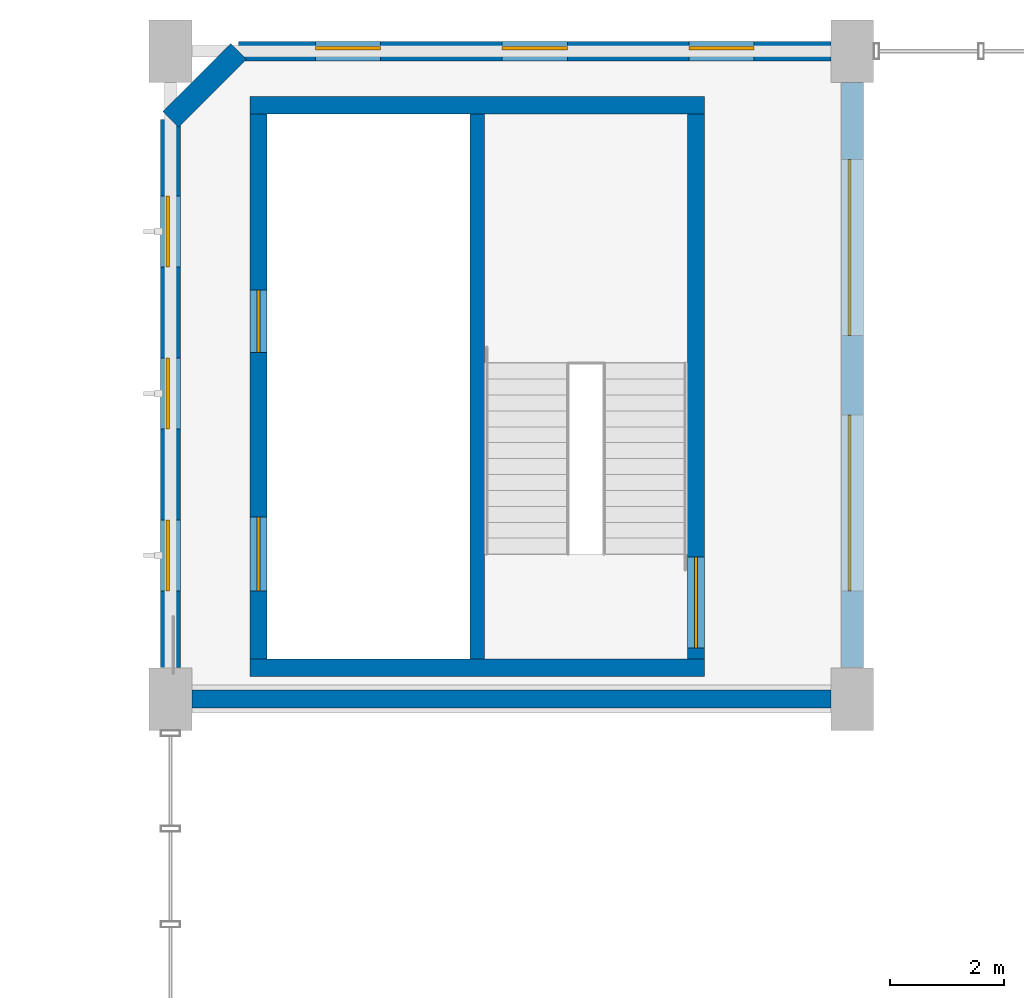
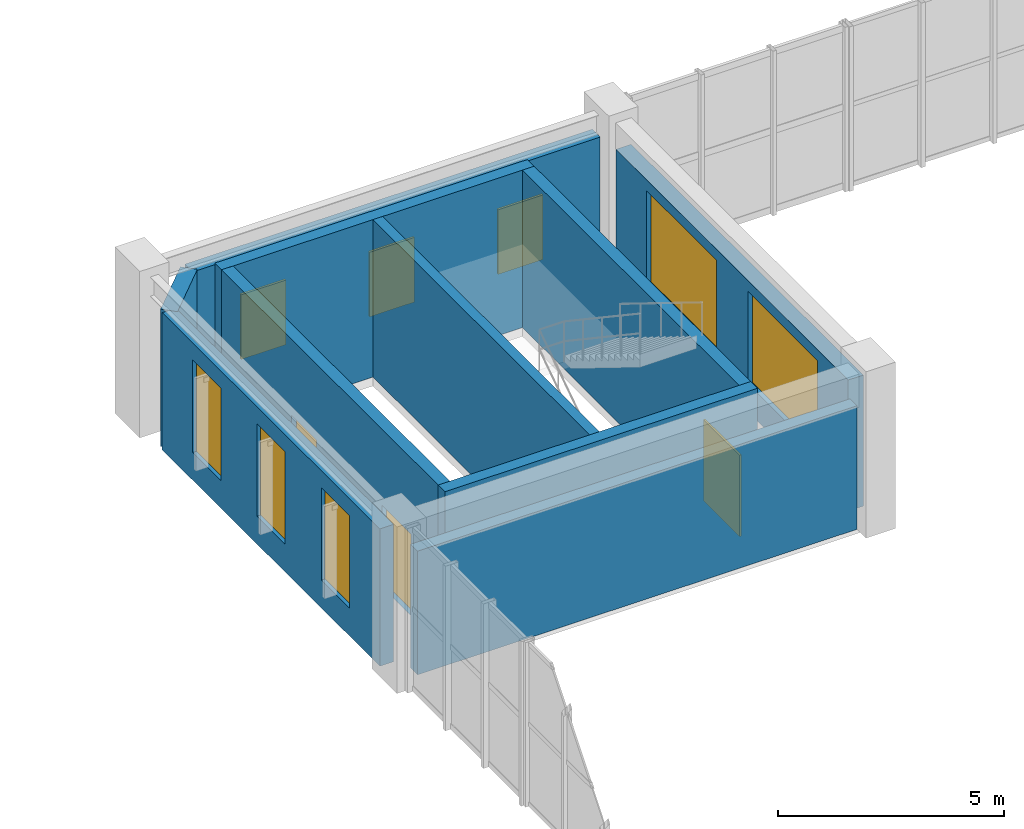
# One storey, part 69 of 80: 10 walls, 8 windows, 3 doors, 11 openings.
"""IFC4 building model written with IfcOpenShell, lengths in metres."""

from ifc_helpers import new_model, si_unit, direction, frame, frame_2d, origin, place, context, subcontext, project, spatial, rectangle, extrude, material, layer, layer_set, type_object, element, fill, save


model = new_model("IFC4")

# Units and contexts
model_context = context("Model", 3, precision=1e-05, world=origin(), true_north=direction((0.0, 1.0)))
body_context = subcontext(model_context, "Body", "Model", "MODEL_VIEW")
ifc_project = project(units=[si_unit("LENGTHUNIT", "METRE"), si_unit("AREAUNIT", "SQUARE_METRE"), si_unit("VOLUMEUNIT", "CUBIC_METRE"), si_unit("PLANEANGLEUNIT", "RADIAN"), si_unit("MASSUNIT", "GRAM", prefix="KILO"), si_unit("POWERUNIT", "WATT"), si_unit("THERMODYNAMICTEMPERATUREUNIT", "KELVIN")], contexts=[model_context])

# Site, building, storey
site_placement = place(None, origin())
site = spatial("IfcSite", under=ifc_project, at=site_placement, CompositionType="ELEMENT")
building_placement = place(site_placement, origin())
building = spatial("IfcBuilding", under=site, at=building_placement, Name="Kelmbourne Parkland Aquatics Centre", CompositionType="ELEMENT")
storey_placement = place(building_placement, frame((0.0, 0.0, 10.199951171875)))
storey = spatial("IfcBuildingStorey", under=building, at=storey_placement, Name="L02", CompositionType="ELEMENT", Elevation=10.199951171875)

# Walls
ifc_material_1 = material(Name="Concrete C40/50", Category="concrete")
ifc_layer_1 = layer(ifc_material_1, 0.25)
ifc_layer_set_1 = layer_set([ifc_layer_1], Name="Concrete C40/50")
wall_type_1 = type_object("IfcWallType", Name="W-CORE-250", PredefinedType="SHEAR", material=ifc_layer_set_1)
wall_1_placement = place(storey_placement, frame((133.39990234375, 104.10009765625, 0.0), z_axis=(0.0, 0.0, 1.0), x_axis=(0.0, 1.0, 0.0)))
element("IfcWall", 1, at=wall_1_placement, inside=storey, type_object=wall_type_1, Name="North Diving Control Fire-Fighting Core divider wall (L02)", PredefinedType="SHEAR", context=body_context, shape_type="SweptSolid", body=[
    extrude(rectangle(XDim=9.599853515625, YDim=0.25, at=frame_2d((4.7998046875, 0.0))), origin(), (0.0, 0.0, 1.0), 4.260009765625),
])
ifc_layer_2 = layer(ifc_material_1, 0.300048828125)
ifc_layer_set_2 = layer_set([ifc_layer_2], Name="Concrete C40/50")
wall_type_2 = type_object("IfcWallType", Name="W-CORE-300", PredefinedType="SHEAR", material=ifc_layer_set_2)
for number, where, z_axis, x_axis, name in (
    (2, (129.39990234375, 103.949951171875, 0.0), (0.0, 0.0, 1.0), (1.0, 0.0, 0.0), "North Diving Control Fire-Fighting Core south wall (L02)"),
    (3, (129.39990234375, 113.85009765625, 0.0), (0.0, 0.0, 1.0), (1.0, 0.0, 0.0), "North Diving Control Fire-Fighting Core north wall (L02)"),
):
    element("IfcWall", number, at=place(storey_placement, frame(where, z_axis=z_axis, x_axis=x_axis)), inside=storey, type_object=wall_type_2, Name=name, PredefinedType="SHEAR", context=body_context, shape_type="SweptSolid", body=[
        extrude(rectangle(XDim=8.0, YDim=0.300048828125, at=frame_2d((4.0, 0.0))), origin(), (0.0, 0.0, 1.0), 4.260009765625),
    ])

# Wall, openings, doors
wall_2_placement = place(storey_placement, frame((129.550048828125, 104.10009765625, 0.0), z_axis=(0.0, 0.0, 1.0), x_axis=(0.0, 1.0, 0.0)))
wall_2 = element("IfcWall", 4, at=wall_2_placement, inside=storey, type_object=wall_type_2, Name="North Diving Control Fire-Fighting Core west wall (L02)", PredefinedType="SHEAR", context=body_context, shape_type="SweptSolid", body=[
    extrude(rectangle(XDim=9.599853515625, YDim=0.300048828125, at=frame_2d((4.7998046875, 0.0))), origin(), (0.0, 0.0, 1.0), 4.260009765625),
])
opening_1_placement = place(wall_2_placement, frame((1.199951171875, 0.0, 0.0)))
opening_1 = element("IfcOpeningElement", 5, at=opening_1_placement, cuts=wall_2, Name="Opening LD02", PredefinedType="OPENING", context=body_context, shape_type="SweptSolid", body=[
    extrude(rectangle(XDim=1.300048828125, YDim=2.199951171875, at=frame_2d((0.64990234375, 1.10009765625))), frame((0.0, 0.162109375, 0.0), z_axis=(0.0, -1.0, 0.0), x_axis=(1.0, 0.0, 0.0)), (0.0, 0.0, 1.0), 0.323974609375),
])
opening_2_placement = place(wall_2_placement, frame((5.39990234375, 0.0, 0.0)))
opening_2 = element("IfcOpeningElement", 6, at=opening_2_placement, cuts=wall_2, Name="Opening LD01", PredefinedType="OPENING", context=body_context, shape_type="SweptSolid", body=[
    extrude(rectangle(XDim=1.10009765625, YDim=2.199951171875, at=frame_2d((0.550048828125, 1.10009765625))), frame((0.0, 0.162109375, 0.0), z_axis=(0.0, -1.0, 0.0), x_axis=(1.0, 0.0, 0.0)), (0.0, 0.0, 1.0), 0.323974609375),
])
ifc_material_2 = material(Name="Marine-grade stainless steel and fire-rated hardwood doorset", Category="steel")
ifc_layer_3 = layer(ifc_material_2, 0.050048828125)
ifc_layer_set_3 = layer_set([ifc_layer_3], Name="Marine-grade stainless steel and fire-rated hardwood doorset")
door_type_1 = type_object("IfcDoorType", Name="DR-LD-110", OperationType="NOTDEFINED", PredefinedType="DOOR", material=ifc_layer_set_3)
door_1_placement = place(opening_2_placement, origin())
door_1 = element("IfcDoor", 7, at=door_1_placement, inside=storey, type_object=door_type_1, Name="Lift landing sliding door LF08 (L02)", OperationType="SLIDING_TO_RIGHT", OverallHeight=2.199951171875, OverallWidth=1.10009765625, PredefinedType="DOOR", context=body_context, shape_type="SweptSolid", body=[
    extrude(rectangle(XDim=1.10009765625, YDim=2.199951171875, at=frame_2d((0.550048828125, 1.10009765625))), frame((0.0, 0.02490234375, 0.0), z_axis=(0.0, -1.0, 0.0), x_axis=(1.0, 0.0, 0.0)), (0.0, 0.0, 1.0), 0.050048828125),
])
fill(opening_2, door_1)
ifc_layer_4 = layer(ifc_material_2, 0.050048828125)
ifc_layer_set_4 = layer_set([ifc_layer_4], Name="Marine-grade stainless steel and fire-rated hardwood doorset")
door_type_2 = type_object("IfcDoorType", Name="DR-LD-130", OperationType="NOTDEFINED", PredefinedType="DOOR", material=ifc_layer_set_4)
door_2_placement = place(opening_1_placement, origin())
door_2 = element("IfcDoor", 8, at=door_2_placement, inside=storey, type_object=door_type_2, Name="Lift landing sliding door LF07 (L02)", OperationType="SLIDING_TO_LEFT", OverallHeight=2.199951171875, OverallWidth=1.300048828125, PredefinedType="DOOR", context=body_context, shape_type="SweptSolid", body=[
    extrude(rectangle(XDim=1.300048828125, YDim=2.199951171875, at=frame_2d((0.64990234375, 1.10009765625))), frame((0.0, 0.02490234375, 0.0), z_axis=(0.0, -1.0, 0.0), x_axis=(1.0, 0.0, 0.0)), (0.0, 0.0, 1.0), 0.050048828125),
])
fill(opening_1, door_2)

# Wall, opening, door
wall_3_placement = place(storey_placement, frame((137.25, 104.10009765625, 0.0), z_axis=(0.0, 0.0, 1.0), x_axis=(0.0, 1.0, 0.0)))
wall_3 = element("IfcWall", 9, at=wall_3_placement, inside=storey, type_object=wall_type_2, Name="North Diving Control Fire-Fighting Core east wall (L02)", PredefinedType="SHEAR", context=body_context, shape_type="SweptSolid", body=[
    extrude(rectangle(XDim=9.599853515625, YDim=0.300048828125, at=frame_2d((4.7998046875, 0.0))), origin(), (0.0, 0.0, 1.0), 4.260009765625),
])
opening_3_placement = place(wall_3_placement, frame((0.199951171875, 0.0, 0.0)))
opening_3 = element("IfcOpeningElement", 10, at=opening_3_placement, cuts=wall_3, Name="Opening FD02", PredefinedType="OPENING", context=body_context, shape_type="SweptSolid", body=[
    extrude(rectangle(XDim=1.60009765625, YDim=2.199951171875, at=frame_2d((0.800048828125, 1.10009765625))), frame((0.0, 0.162109375, 0.0), z_axis=(0.0, -1.0, 0.0), x_axis=(1.0, 0.0, 0.0)), (0.0, 0.0, 1.0), 0.323974609375),
])
ifc_layer_5 = layer(ifc_material_2, 0.050048828125)
ifc_layer_set_5 = layer_set([ifc_layer_5], Name="Marine-grade stainless steel and fire-rated hardwood doorset")
door_type_3 = type_object("IfcDoorType", Name="DR-FD-160", OperationType="NOTDEFINED", PredefinedType="DOOR", material=ifc_layer_set_5)
door_3_placement = place(opening_3_placement, frame((1.60009765625, 0.0, 0.0), z_axis=(0.0, 0.0, 1.0), x_axis=(-1.0, 0.0, 0.0)))
door_3 = element("IfcDoor", 11, at=door_3_placement, inside=storey, type_object=door_type_3, Name="Fire stair door ST05 (L02)", OperationType="DOUBLE_DOOR_SINGLE_SWING", OverallHeight=2.199951171875, OverallWidth=1.60009765625, PredefinedType="DOOR", context=body_context, shape_type="SweptSolid", body=[
    extrude(rectangle(XDim=1.60009765625, YDim=2.199951171875, at=frame_2d((0.800048828125, 1.10009765625))), frame((0.0, 0.02490234375, 0.0), z_axis=(0.0, -1.0, 0.0), x_axis=(1.0, 0.0, 0.0)), (0.0, 0.0, 1.0), 0.050048828125),
])
fill(opening_3, door_3)

# Wall
ifc_material_3 = material(Name="Russet clinker clay brickwork", Category="masonry")
ifc_layer_6 = layer(ifc_material_3, 0.31005859375)
ifc_layer_set_6 = layer_set([ifc_layer_6], Name="Russet clinker clay brickwork")
wall_type_3 = type_object("IfcWallType", Name="W-EXT-310", PredefinedType="STANDARD", material=ifc_layer_set_6)
wall_4_placement = place(storey_placement, frame((128.376953125, 103.39990234375, 0.0), z_axis=(0.0, 0.0, 1.0), x_axis=(1.0, 0.0, 0.0)))
element("IfcWall", 12, at=wall_4_placement, inside=storey, type_object=wall_type_3, Name="Exterior polychrome brick wall EW-L02-116", PredefinedType="STANDARD", context=body_context, shape_type="SweptSolid", body=[
    extrude(rectangle(XDim=11.24609375, YDim=0.31005859375, at=frame_2d((5.623046875, 0.0))), origin(), (0.0, 0.0, 1.0), 3.344970703125),
])

# Wall, openings, windows
ifc_material_4 = material(Name="Polychrome glazed brick header coursework", Category="masonry")
ifc_layer_7 = layer(ifc_material_4, 0.35009765625)
ifc_layer_set_7 = layer_set([ifc_layer_7], Name="Polychrome glazed brick header coursework")
wall_type_4 = type_object("IfcWallType", Name="W-EXT-350", PredefinedType="STANDARD", material=ifc_layer_set_7)
wall_5_placement = place(storey_placement, frame((128.0, 103.951904296875, 0.0), z_axis=(0.0, 0.0, 1.0), x_axis=(0.0, 1.0, 0.0)))
wall_5 = element("IfcWall", 13, at=wall_5_placement, inside=storey, type_object=wall_type_4, Name="Exterior polychrome brick wall EW-L02-115", PredefinedType="STANDARD", context=body_context, shape_type="SweptSolid", body=[
    extrude(rectangle(XDim=9.648193359375, YDim=0.35009765625, at=frame_2d((4.82421875, 0.0))), origin(), (0.0, 0.0, 1.0), 3.712158203125),
])
opening_4_placement = place(wall_5_placement, frame((1.35009765625, 0.0, 0.75)))
opening_4 = element("IfcOpeningElement", 14, at=opening_4_placement, cuts=wall_5, Name="Opening W25", PredefinedType="OPENING", context=body_context, shape_type="SweptSolid", body=[
    extrude(rectangle(XDim=1.25, YDim=2.5, at=frame_2d((0.625, 1.25))), frame((0.0, 0.18701171875, 0.0), z_axis=(0.0, -1.0, 0.0), x_axis=(1.0, 0.0, 0.0)), (0.0, 0.0, 1.0), 0.3740234375),
])
opening_5_placement = place(wall_5_placement, frame((4.198974609375, 0.0, 0.75)))
opening_5 = element("IfcOpeningElement", 15, at=opening_5_placement, cuts=wall_5, Name="Opening W25", PredefinedType="OPENING", context=body_context, shape_type="SweptSolid", body=[
    extrude(rectangle(XDim=1.25, YDim=2.5, at=frame_2d((0.625, 1.25))), frame((0.0, 0.18701171875, 0.0), z_axis=(0.0, -1.0, 0.0), x_axis=(1.0, 0.0, 0.0)), (0.0, 0.0, 1.0), 0.3740234375),
])
opening_6_placement = place(wall_5_placement, frame((7.048095703125, 0.0, 0.75)))
opening_6 = element("IfcOpeningElement", 16, at=opening_6_placement, cuts=wall_5, Name="Opening W25", PredefinedType="OPENING", context=body_context, shape_type="SweptSolid", body=[
    extrude(rectangle(XDim=1.25, YDim=2.5, at=frame_2d((0.625, 1.25))), frame((0.0, 0.18701171875, 0.0), z_axis=(0.0, -1.0, 0.0), x_axis=(1.0, 0.0, 0.0)), (0.0, 0.0, 1.0), 0.3740234375),
])
ifc_material_5 = material(Name="Thermally broken anodised aluminium window with low-e glass", Category="aluminium")
ifc_layer_8 = layer(ifc_material_5, 0.090087890625)
ifc_layer_set_8 = layer_set([ifc_layer_8], Name="Thermally broken anodised aluminium window with low-e glass")
window_type_1 = type_object("IfcWindowType", Name="WN-25", PartitioningType="SINGLE_PANEL", PredefinedType="WINDOW", material=ifc_layer_set_8)
window_1_placement = place(opening_4_placement, origin())
window_1 = element("IfcWindow", 17, at=window_1_placement, inside=storey, type_object=window_type_1, Name="Deep-reveal masonry window W25", OverallHeight=2.5, OverallWidth=1.25, PartitioningType="SINGLE_PANEL", PredefinedType="WINDOW", context=body_context, shape_type="SweptSolid", body=[
    extrude(rectangle(XDim=1.25, YDim=2.5, at=frame_2d((0.625, 1.25))), frame((0.0, 0.080078125, 0.0), z_axis=(0.0, -1.0, 0.0), x_axis=(1.0, 0.0, 0.0)), (0.0, 0.0, 1.0), 0.06005859375),
])
fill(opening_4, window_1)
window_2_placement = place(opening_5_placement, origin())
window_2 = element("IfcWindow", 18, at=window_2_placement, inside=storey, type_object=window_type_1, Name="Deep-reveal masonry window W25", OverallHeight=2.5, OverallWidth=1.25, PartitioningType="SINGLE_PANEL", PredefinedType="WINDOW", context=body_context, shape_type="SweptSolid", body=[
    extrude(rectangle(XDim=1.25, YDim=2.5, at=frame_2d((0.625, 1.25))), frame((0.0, 0.080078125, 0.0), z_axis=(0.0, -1.0, 0.0), x_axis=(1.0, 0.0, 0.0)), (0.0, 0.0, 1.0), 0.06005859375),
])
fill(opening_5, window_2)
window_3_placement = place(opening_6_placement, origin())
window_3 = element("IfcWindow", 19, at=window_3_placement, inside=storey, type_object=window_type_1, Name="Deep-reveal masonry window W25", OverallHeight=2.5, OverallWidth=1.25, PartitioningType="SINGLE_PANEL", PredefinedType="WINDOW", context=body_context, shape_type="SweptSolid", body=[
    extrude(rectangle(XDim=1.25, YDim=2.5, at=frame_2d((0.625, 1.25))), frame((0.0, 0.080078125, 0.0), z_axis=(0.0, -1.0, 0.0), x_axis=(1.0, 0.0, 0.0)), (0.0, 0.0, 1.0), 0.06005859375),
])
fill(opening_6, window_3)

wall_6_placement = place(storey_placement, frame((129.199951171875, 114.800048828125, 0.0), z_axis=(0.0, 0.0, 1.0), x_axis=(1.0, 0.0, 0.0)))
wall_6 = element("IfcWall", 20, at=wall_6_placement, inside=storey, type_object=wall_type_4, Name="Exterior polychrome brick wall EW-L02-118", PredefinedType="STANDARD", context=body_context, shape_type="SweptSolid", body=[
    extrude(rectangle(XDim=10.423095703125, YDim=0.35009765625, at=frame_2d((5.21142578125, 0.0))), origin(), (0.0, 0.0, 1.0), 3.712158203125),
])
opening_7_placement = place(wall_6_placement, frame((1.35009765625, 0.0, 0.75)))
opening_7 = element("IfcOpeningElement", 21, at=opening_7_placement, cuts=wall_6, Name="Opening W02", PredefinedType="OPENING", context=body_context, shape_type="SweptSolid", body=[
    extrude(rectangle(XDim=1.14990234375, YDim=1.75, at=frame_2d((0.574951171875, 0.875))), frame((0.0, 0.18701171875, 0.0), z_axis=(0.0, -1.0, 0.0), x_axis=(1.0, 0.0, 0.0)), (0.0, 0.0, 1.0), 0.3740234375),
])
opening_8_placement = place(wall_6_placement, frame((4.636474609375, 0.0, 0.75)))
opening_8 = element("IfcOpeningElement", 22, at=opening_8_placement, cuts=wall_6, Name="Opening W02", PredefinedType="OPENING", context=body_context, shape_type="SweptSolid", body=[
    extrude(rectangle(XDim=1.14990234375, YDim=1.75, at=frame_2d((0.574951171875, 0.875))), frame((0.0, 0.18701171875, 0.0), z_axis=(0.0, -1.0, 0.0), x_axis=(1.0, 0.0, 0.0)), (0.0, 0.0, 1.0), 0.3740234375),
])
opening_9_placement = place(wall_6_placement, frame((7.923095703125, 0.0, 0.75)))
opening_9 = element("IfcOpeningElement", 23, at=opening_9_placement, cuts=wall_6, Name="Opening W02", PredefinedType="OPENING", context=body_context, shape_type="SweptSolid", body=[
    extrude(rectangle(XDim=1.14990234375, YDim=1.75, at=frame_2d((0.574951171875, 0.875))), frame((0.0, 0.18701171875, 0.0), z_axis=(0.0, -1.0, 0.0), x_axis=(1.0, 0.0, 0.0)), (0.0, 0.0, 1.0), 0.3740234375),
])
ifc_layer_9 = layer(ifc_material_5, 0.090087890625)
ifc_layer_set_9 = layer_set([ifc_layer_9], Name="Thermally broken anodised aluminium window with low-e glass")
window_type_2 = type_object("IfcWindowType", Name="WN-02", PartitioningType="SINGLE_PANEL", PredefinedType="WINDOW", material=ifc_layer_set_9)
window_4_placement = place(opening_7_placement, origin())
window_4 = element("IfcWindow", 24, at=window_4_placement, inside=storey, type_object=window_type_2, Name="Deep-reveal masonry window W02", OverallHeight=1.75, OverallWidth=1.14990234375, PartitioningType="SINGLE_PANEL", PredefinedType="WINDOW", context=body_context, shape_type="SweptSolid", body=[
    extrude(rectangle(XDim=1.14990234375, YDim=1.75, at=frame_2d((0.574951171875, 0.875))), frame((0.0, 0.080078125, 0.0), z_axis=(0.0, -1.0, 0.0), x_axis=(1.0, 0.0, 0.0)), (0.0, 0.0, 1.0), 0.06005859375),
])
fill(opening_7, window_4)
window_5_placement = place(opening_8_placement, origin())
window_5 = element("IfcWindow", 25, at=window_5_placement, inside=storey, type_object=window_type_2, Name="Deep-reveal masonry window W02", OverallHeight=1.75, OverallWidth=1.14990234375, PartitioningType="SINGLE_PANEL", PredefinedType="WINDOW", context=body_context, shape_type="SweptSolid", body=[
    extrude(rectangle(XDim=1.14990234375, YDim=1.75, at=frame_2d((0.574951171875, 0.875))), frame((0.0, 0.080078125, 0.0), z_axis=(0.0, -1.0, 0.0), x_axis=(1.0, 0.0, 0.0)), (0.0, 0.0, 1.0), 0.06005859375),
])
fill(opening_8, window_5)
window_6_placement = place(opening_9_placement, origin())
window_6 = element("IfcWindow", 26, at=window_6_placement, inside=storey, type_object=window_type_2, Name="Deep-reveal masonry window W02", OverallHeight=1.75, OverallWidth=1.14990234375, PartitioningType="SINGLE_PANEL", PredefinedType="WINDOW", context=body_context, shape_type="SweptSolid", body=[
    extrude(rectangle(XDim=1.14990234375, YDim=1.75, at=frame_2d((0.574951171875, 0.875))), frame((0.0, 0.080078125, 0.0), z_axis=(0.0, -1.0, 0.0), x_axis=(1.0, 0.0, 0.0)), (0.0, 0.0, 1.0), 0.06005859375),
])
fill(opening_9, window_6)

ifc_layer_10 = layer(ifc_material_3, 0.389892578125)
ifc_layer_set_10 = layer_set([ifc_layer_10], Name="Russet clinker clay brickwork")
wall_type_5 = type_object("IfcWallType", Name="W-EXT-390", PredefinedType="STANDARD", material=ifc_layer_set_10)
wall_7_placement = place(storey_placement, frame((140.0, 103.951904296875, 0.0), z_axis=(0.0, 0.0, 1.0), x_axis=(0.0, 1.0, 0.0)))
wall_7 = element("IfcWall", 27, at=wall_7_placement, inside=storey, type_object=wall_type_5, Name="Exterior polychrome brick wall EW-L02-117", PredefinedType="STANDARD", context=body_context, shape_type="SweptSolid", body=[
    extrude(rectangle(XDim=10.296142578125, YDim=0.389892578125, at=frame_2d((5.14794921875, 0.0))), origin(), (0.0, 0.0, 1.0), 3.545166015625),
])
opening_10_placement = place(wall_7_placement, frame((1.35009765625, 0.0, 0.75)))
opening_10 = element("IfcOpeningElement", 28, at=opening_10_placement, cuts=wall_7, Name="Opening W28", PredefinedType="OPENING", context=body_context, shape_type="SweptSolid", body=[
    extrude(rectangle(XDim=3.10009765625, YDim=2.5, at=frame_2d((1.550048828125, 1.25))), frame((0.0, 0.20703125, 0.0), z_axis=(0.0, -1.0, 0.0), x_axis=(1.0, 0.0, 0.0)), (0.0, 0.0, 1.0), 0.413818359375),
])
opening_11_placement = place(wall_7_placement, frame((5.845947265625, 0.0, 0.75)))
opening_11 = element("IfcOpeningElement", 29, at=opening_11_placement, cuts=wall_7, Name="Opening W28", PredefinedType="OPENING", context=body_context, shape_type="SweptSolid", body=[
    extrude(rectangle(XDim=3.10009765625, YDim=2.5, at=frame_2d((1.550048828125, 1.25))), frame((0.0, 0.20703125, 0.0), z_axis=(0.0, -1.0, 0.0), x_axis=(1.0, 0.0, 0.0)), (0.0, 0.0, 1.0), 0.413818359375),
])
ifc_layer_11 = layer(ifc_material_5, 0.090087890625)
ifc_layer_set_11 = layer_set([ifc_layer_11], Name="Thermally broken anodised aluminium window with low-e glass")
window_type_3 = type_object("IfcWindowType", Name="WN-28", PartitioningType="TRIPLE_PANEL_VERTICAL", PredefinedType="WINDOW", material=ifc_layer_set_11)
window_7_placement = place(opening_10_placement, origin())
window_7 = element("IfcWindow", 30, at=window_7_placement, inside=storey, type_object=window_type_3, Name="Deep-reveal masonry window W28", OverallHeight=2.5, OverallWidth=3.10009765625, PartitioningType="TRIPLE_PANEL_VERTICAL", PredefinedType="WINDOW", context=body_context, shape_type="SweptSolid", body=[
    extrude(rectangle(XDim=3.10009765625, YDim=2.5, at=frame_2d((1.550048828125, 1.25))), frame((0.0, 0.080078125, 0.0), z_axis=(0.0, -1.0, 0.0), x_axis=(1.0, 0.0, 0.0)), (0.0, 0.0, 1.0), 0.06005859375),
])
fill(opening_10, window_7)
window_8_placement = place(opening_11_placement, origin())
window_8 = element("IfcWindow", 31, at=window_8_placement, inside=storey, type_object=window_type_3, Name="Deep-reveal masonry window W28", OverallHeight=2.5, OverallWidth=3.10009765625, PartitioningType="TRIPLE_PANEL_VERTICAL", PredefinedType="WINDOW", context=body_context, shape_type="SweptSolid", body=[
    extrude(rectangle(XDim=3.10009765625, YDim=2.5, at=frame_2d((1.550048828125, 1.25))), frame((0.0, 0.080078125, 0.0), z_axis=(0.0, -1.0, 0.0), x_axis=(1.0, 0.0, 0.0)), (0.0, 0.0, 1.0), 0.06005859375),
])
fill(opening_11, window_8)

# Wall
wall_8_placement = place(storey_placement, frame((128.0, 113.60009765625, 0.0), z_axis=(0.0, 0.0, 1.0), x_axis=(0.707106781187, 0.707106781187, 0.0)))
element("IfcWall", 32, at=wall_8_placement, inside=storey, type_object=wall_type_5, Name="Stepped brick corner bevel CHAM-L02-V2", PredefinedType="STANDARD", context=body_context, shape_type="SweptSolid", body=[
    extrude(rectangle(XDim=1.697021484375, YDim=0.389892578125, at=frame_2d((0.8486328125, 0.0))), origin(), (0.0, 0.0, 1.0), 3.712158203125),
])

save(model, "model.ifc")
